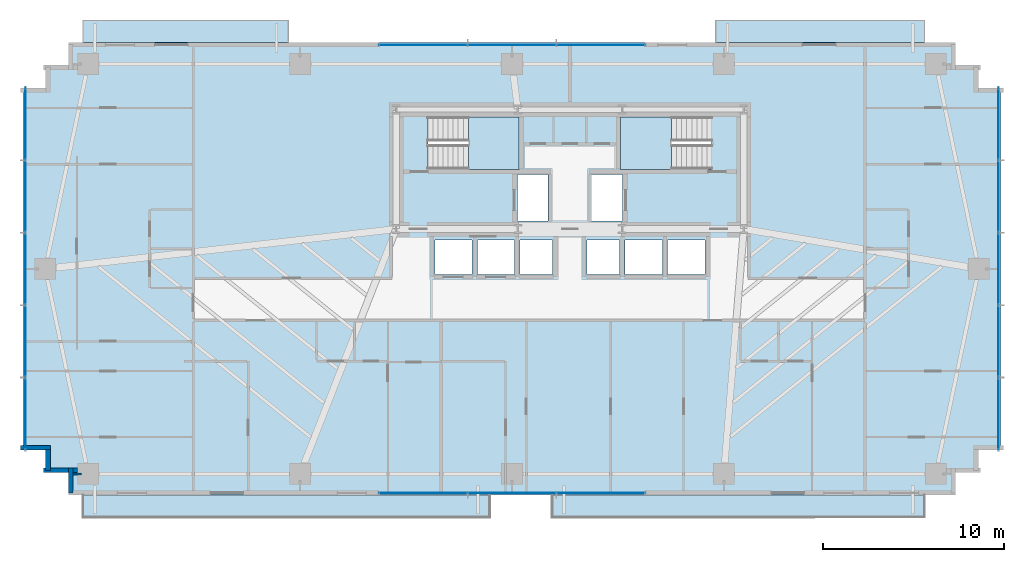
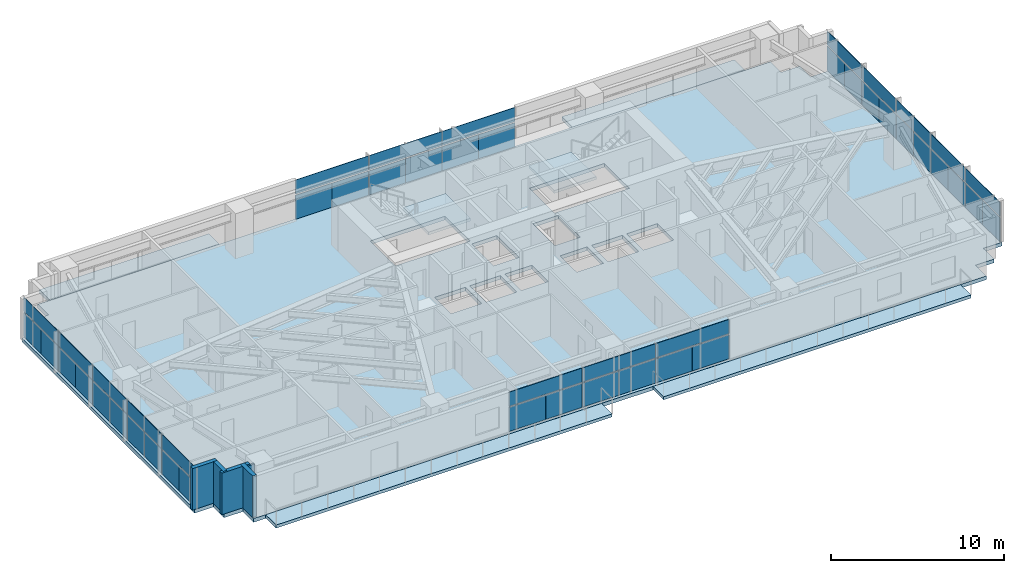
# One storey, part 18 of 25: 48 plates, 7 slabs, 5 walls, 6 elements without a shape of their own.
"""IFC4 building model written with IfcOpenShell, lengths in metres."""

from ifc_helpers import new_model, si_unit, direction, frame, frame_2d, origin, origin_2d, place, context, subcontext, project, spatial, polyline, rectangle, outline, extrude, source, transform, mapped, material, layer, layer_set, type_object, type_shapes, element, aggregate, save


model = new_model("IFC4")

# Units and contexts
model_context = context("Model", 3, precision=1e-05, world=origin(), true_north=direction((0.0, 1.0)))
body_context = subcontext(model_context, "Body", "Model", "MODEL_VIEW")
ifc_project = project(units=[si_unit("LENGTHUNIT", "METRE"), si_unit("AREAUNIT", "SQUARE_METRE"), si_unit("VOLUMEUNIT", "CUBIC_METRE"), si_unit("PLANEANGLEUNIT", "RADIAN"), si_unit("MASSUNIT", "GRAM", prefix="KILO")], contexts=[model_context])

# Site, building, storey
site_placement = place(None, origin())
site = spatial("IfcSite", under=ifc_project, at=site_placement, CompositionType="ELEMENT")
building_placement = place(site_placement, origin())
building = spatial("IfcBuilding", under=site, at=building_placement, Name="Astriad Promenade Condominiums", CompositionType="ELEMENT")
storey_placement = place(building_placement, frame((0.0, 0.0, 29.39990234375)))
storey = spatial("IfcBuildingStorey", under=building, at=storey_placement, Name="L07", CompositionType="ELEMENT", Elevation=29.39990234375)

# Slab
ifc_material_1 = material(Name="Concrete C50/60", Category="concrete")
ifc_layer_1 = layer(ifc_material_1, 0.260009765625)
ifc_layer_set_1 = layer_set([ifc_layer_1], Name="Concrete C50/60")
slab_type_1 = type_object("IfcSlabType", Name="CONCRETE TOWER FLOOR SLAB 260", PredefinedType="FLOOR", material=ifc_layer_set_1)
slab_1_placement = place(storey_placement, frame((0.0, 0.0, -0.260009765625)))
element("IfcSlab", 1, at=slab_1_placement, inside=storey, type_object=slab_type_1, Name="Structural Floor Slab (L07)", PredefinedType="FLOOR", context=body_context, shape_type="SweptSolid", body=[
    extrude(outline(polyline([(8.300048828125, 2.699951171875), (57.300048828125, 2.699951171875), (57.300048828125, 3.949951171875), (58.550048828125, 3.949951171875), (58.550048828125, 5.199951171875), (59.800048828125, 5.199951171875), (59.800048828125, 25.199951171875), (58.550048828125, 25.199951171875), (58.550048828125, 26.449951171875), (57.300048828125, 26.449951171875), (57.300048828125, 27.699951171875), (8.300048828125, 27.699951171875), (8.300048828125, 26.449951171875), (7.050048828125, 26.449951171875), (7.050048828125, 25.199951171875), (5.800048828125, 25.199951171875), (5.800048828125, 5.199951171875), (7.050048828125, 5.199951171875), (7.050048828125, 3.949951171875), (8.300048828125, 3.949951171875), (8.300048828125, 2.699951171875)]), holes=[polyline([(28.175048828125, 20.699951171875), (33.175048828125, 20.699951171875), (33.175048828125, 23.60009765625), (28.175048828125, 23.60009765625), (28.175048828125, 20.699951171875)]), polyline([(38.824951171875, 20.699951171875), (43.824951171875, 20.699951171875), (43.824951171875, 23.60009765625), (38.824951171875, 23.60009765625), (38.824951171875, 20.699951171875)]), polyline([(33.10009765625, 17.85009765625), (34.800048828125, 17.85009765625), (34.800048828125, 20.39990234375), (33.10009765625, 20.39990234375), (33.10009765625, 17.85009765625)]), polyline([(37.199951171875, 17.85009765625), (38.89990234375, 17.85009765625), (38.89990234375, 20.39990234375), (37.199951171875, 20.39990234375), (37.199951171875, 17.85009765625)]), polyline([(28.550048828125, 14.89990234375), (30.60009765625, 14.89990234375), (30.60009765625, 16.800048828125), (28.550048828125, 16.800048828125), (28.550048828125, 14.89990234375)]), polyline([(30.89990234375, 14.89990234375), (32.949951171875, 14.89990234375), (32.949951171875, 16.800048828125), (30.89990234375, 16.800048828125), (30.89990234375, 14.89990234375)]), polyline([(33.25, 14.89990234375), (35.050048828125, 14.89990234375), (35.050048828125, 16.800048828125), (33.25, 16.800048828125), (33.25, 14.89990234375)]), polyline([(36.949951171875, 14.89990234375), (38.75, 14.89990234375), (38.75, 16.800048828125), (36.949951171875, 16.800048828125), (36.949951171875, 14.89990234375)]), polyline([(39.050048828125, 14.89990234375), (41.10009765625, 14.89990234375), (41.10009765625, 16.800048828125), (39.050048828125, 16.800048828125), (39.050048828125, 14.89990234375)]), polyline([(41.39990234375, 14.89990234375), (43.449951171875, 14.89990234375), (43.449951171875, 16.800048828125), (41.39990234375, 16.800048828125), (41.39990234375, 14.89990234375)])]), origin(), (0.0, 0.0, 1.0), 0.260009765625),
])

# Stair, slab
stair_type = type_object("IfcStairType", Name="STR-CORE-1350", PredefinedType="HALF_TURN_STAIR", material=ifc_material_1)
stair_1_placement = place(storey_placement, origin())
stair_1 = element("IfcStair", 2, at=stair_1_placement, inside=storey, type_object=stair_type, Name="L07 Enclosed Core Exit Stair ST-1", PredefinedType="HALF_TURN_STAIR")
ifc_layer_2 = layer(ifc_material_1, 0.219970703125)
ifc_layer_set_2 = layer_set([ifc_layer_2], Name="Concrete C50/60")
slab_type_2 = type_object("IfcSlabType", Name="SLB-LANDING-220", PredefinedType="LANDING", material=ifc_layer_set_2)
slab_2_placement = place(storey_placement, frame((0.0, 0.0, 1.400146484375)))
slab_2 = element("IfcSlab", 3, at=slab_2_placement, type_object=slab_type_2, Name="ST-1 landing 1", PredefinedType="LANDING", context=body_context, shape_type="SweptSolid", body=[
    extrude(outline(polyline([(30.389892578125, 20.699951171875), (33.199951171875, 20.699951171875), (33.199951171875, 23.60009765625), (30.389892578125, 23.60009765625), (30.389892578125, 20.699951171875)])), origin(), (0.0, 0.0, 1.0), 0.199951171875),
])
aggregate(stair_1, [slab_2])

stair_2_placement = place(storey_placement, origin())
stair_2 = element("IfcStair", 4, at=stair_2_placement, inside=storey, type_object=stair_type, Name="L07 Enclosed Core Exit Stair ST-2", PredefinedType="HALF_TURN_STAIR")
slab_3_placement = place(storey_placement, frame((0.0, 0.0, 1.400146484375)))
slab_3 = element("IfcSlab", 5, at=slab_3_placement, type_object=slab_type_2, Name="ST-2 landing 1", PredefinedType="LANDING", context=body_context, shape_type="SweptSolid", body=[
    extrude(outline(polyline([(41.610107421875, 23.60009765625), (38.800048828125, 23.60009765625), (38.800048828125, 20.699951171875), (41.610107421875, 20.699951171875), (41.610107421875, 23.60009765625)])), origin(), (0.0, 0.0, 1.0), 0.199951171875),
])
aggregate(stair_2, [slab_3])

# Slabs
ifc_material_2 = material(Name="Precast concrete C50/60", Category="concrete")
ifc_layer_3 = layer(ifc_material_2, 0.219970703125)
ifc_layer_set_3 = layer_set([ifc_layer_3], Name="Precast concrete C50/60")
slab_type_3 = type_object("IfcSlabType", Name="WHITE PRECAST CONCRETE WAVE BALCONY SLAB 220", PredefinedType="FLOOR", material=ifc_layer_set_3)
slab_4_placement = place(storey_placement, frame((0.0, 0.0, -0.219970703125)))
element("IfcSlab", 6, at=slab_4_placement, inside=storey, type_object=slab_type_3, Name="White Precast Wave Balcony Slab BAL-L07-SW", PredefinedType="FLOOR", context=body_context, shape_type="SweptSolid", body=[
    extrude(outline(polyline([(31.568115234375, 1.47998046875), (9.10595703125, 1.47998046875), (9.10595703125, 2.697998046875), (31.568115234375, 2.697998046875), (31.568115234375, 1.47998046875)])), origin(), (0.0, 0.0, 1.0), 0.219970703125),
])
slab_5_placement = place(storey_placement, frame((0.0, 0.0, -0.219970703125)))
element("IfcSlab", 7, at=slab_5_placement, inside=storey, type_object=slab_type_3, Name="White Precast Wave Balcony Slab BAL-L07-SE", PredefinedType="FLOOR", context=body_context, shape_type="SweptSolid", body=[
    extrude(outline(polyline([(55.577880859375, 1.47998046875), (35.027099609375, 1.47998046875), (35.027099609375, 2.697998046875), (55.577880859375, 2.697998046875), (55.577880859375, 1.47998046875)])), origin(), (0.0, 0.0, 1.0), 0.219970703125),
])
slab_6_placement = place(storey_placement, frame((0.0, 0.0, -0.219970703125)))
element("IfcSlab", 8, at=slab_6_placement, inside=storey, type_object=slab_type_3, Name="White Precast Wave Balcony Slab BAL-L07-NW", PredefinedType="FLOOR", context=body_context, shape_type="SweptSolid", body=[
    extrude(outline(polyline([(9.10595703125, 28.919921875), (20.43994140625, 28.919921875), (20.43994140625, 27.701904296875), (9.10595703125, 27.701904296875), (9.10595703125, 28.919921875)])), origin(), (0.0, 0.0, 1.0), 0.219970703125),
])
slab_7_placement = place(storey_placement, frame((0.0, 0.0, -0.219970703125)))
element("IfcSlab", 9, at=slab_7_placement, inside=storey, type_object=slab_type_3, Name="White Precast Wave Balcony Slab BAL-L07-NE", PredefinedType="FLOOR", context=body_context, shape_type="SweptSolid", body=[
    extrude(outline(polyline([(44.050048828125, 28.919921875), (55.577880859375, 28.919921875), (55.577880859375, 27.701904296875), (44.050048828125, 27.701904296875), (44.050048828125, 28.919921875)])), origin(), (0.0, 0.0, 1.0), 0.219970703125),
])

# Curtain wall, plates
ifc_material_3 = material(Name="Anodised aluminium Black Dark Glass Unitised", Category="aluminium")
curtain_wall_type = type_object("IfcCurtainWallType", Name="CW-B1-DARK", PredefinedType="USERDEFINED", material=ifc_material_3)
curtain_wall_1_placement = place(storey_placement, origin())
curtain_wall_1 = element("IfcCurtainWall", 10, at=curtain_wall_1_placement, inside=storey, type_object=curtain_wall_type, Name="CW-L07-W", ObjectType="UNITISED_CURTAIN_WALL", PredefinedType="USERDEFINED")
ifc_material_4 = material(Name="Dark Tinted Low-E Laminated Glass", Category="glass")
ifc_layer_4 = layer(ifc_material_4, 0.035888671875)
ifc_layer_set_4 = layer_set([ifc_layer_4], Name="Dark Tinted Low-E Laminated Glass")
plate_type = type_object("IfcPlateType", Name="PNL-DARK-GLASS-36", PredefinedType="CURTAIN_PANEL", material=ifc_layer_set_4)
shared_shape_1 = source(origin(), body_context, "Body", "SweptSolid", [
    extrude(rectangle(XDim=1.988037109375, YDim=0.035888671875, at=origin_2d()), origin(), (0.0, 0.0, 1.0), 1.702880859375),
])
plate_1_placement = place(storey_placement, frame((5.929931640625, 6.199951171875, 0.080078125), z_axis=(0.0, 0.0, 1.0), x_axis=(0.0, 1.0, 0.0)))
plate_1 = element("IfcPlate", 11, at=plate_1_placement, type_object=plate_type, Name="CW-L07-W-PNL-00-VL", PredefinedType="CURTAIN_PANEL", context=body_context, shape_type="MappedRepresentation", body=[
    mapped(shared_shape_1, transform((0.0, 0.0, 0.0), scale=1.0)),
])
plate_2_placement = place(storey_placement, frame((5.929931640625, 8.199951171875, 0.080078125), z_axis=(0.0, 0.0, 1.0), x_axis=(0.0, 1.0, 0.0)))
plate_2 = element("IfcPlate", 12, at=plate_2_placement, type_object=plate_type, Name="CW-L07-W-PNL-00-VR", PredefinedType="CURTAIN_PANEL", context=body_context, shape_type="MappedRepresentation", body=[
    mapped(shared_shape_1, transform((0.0, 0.0, 0.0), scale=1.0)),
])
plate_3_placement = place(storey_placement, frame((5.929931640625, 10.199951171875, 0.080078125), z_axis=(0.0, 0.0, 1.0), x_axis=(0.0, 1.0, 0.0)))
plate_3 = element("IfcPlate", 13, at=plate_3_placement, type_object=plate_type, Name="CW-L07-W-PNL-01-VL", PredefinedType="CURTAIN_PANEL", context=body_context, shape_type="MappedRepresentation", body=[
    mapped(shared_shape_1, transform((0.0, 0.0, 0.0), scale=1.0)),
])
plate_4_placement = place(storey_placement, frame((5.929931640625, 12.199951171875, 0.080078125), z_axis=(0.0, 0.0, 1.0), x_axis=(0.0, 1.0, 0.0)))
plate_4 = element("IfcPlate", 14, at=plate_4_placement, type_object=plate_type, Name="CW-L07-W-PNL-01-VR", PredefinedType="CURTAIN_PANEL", context=body_context, shape_type="MappedRepresentation", body=[
    mapped(shared_shape_1, transform((0.0, 0.0, 0.0), scale=1.0)),
])
plate_5_placement = place(storey_placement, frame((5.929931640625, 14.199951171875, 0.080078125), z_axis=(0.0, 0.0, 1.0), x_axis=(0.0, 1.0, 0.0)))
plate_5 = element("IfcPlate", 15, at=plate_5_placement, type_object=plate_type, Name="CW-L07-W-PNL-02-VL", PredefinedType="CURTAIN_PANEL", context=body_context, shape_type="MappedRepresentation", body=[
    mapped(shared_shape_1, transform((0.0, 0.0, 0.0), scale=1.0)),
])
plate_6_placement = place(storey_placement, frame((5.929931640625, 16.199951171875, 0.080078125), z_axis=(0.0, 0.0, 1.0), x_axis=(0.0, 1.0, 0.0)))
plate_6 = element("IfcPlate", 16, at=plate_6_placement, type_object=plate_type, Name="CW-L07-W-PNL-02-VR", PredefinedType="CURTAIN_PANEL", context=body_context, shape_type="MappedRepresentation", body=[
    mapped(shared_shape_1, transform((0.0, 0.0, 0.0), scale=1.0)),
])
plate_7_placement = place(storey_placement, frame((5.929931640625, 18.199951171875, 0.080078125), z_axis=(0.0, 0.0, 1.0), x_axis=(0.0, 1.0, 0.0)))
plate_7 = element("IfcPlate", 17, at=plate_7_placement, type_object=plate_type, Name="CW-L07-W-PNL-03-VL", PredefinedType="CURTAIN_PANEL", context=body_context, shape_type="MappedRepresentation", body=[
    mapped(shared_shape_1, transform((0.0, 0.0, 0.0), scale=1.0)),
])
plate_8_placement = place(storey_placement, frame((5.929931640625, 20.199951171875, 0.080078125), z_axis=(0.0, 0.0, 1.0), x_axis=(0.0, 1.0, 0.0)))
plate_8 = element("IfcPlate", 18, at=plate_8_placement, type_object=plate_type, Name="CW-L07-W-PNL-03-VR", PredefinedType="CURTAIN_PANEL", context=body_context, shape_type="MappedRepresentation", body=[
    mapped(shared_shape_1, transform((0.0, 0.0, 0.0), scale=1.0)),
])
plate_9_placement = place(storey_placement, frame((5.929931640625, 22.199951171875, 0.080078125), z_axis=(0.0, 0.0, 1.0), x_axis=(0.0, 1.0, 0.0)))
plate_9 = element("IfcPlate", 19, at=plate_9_placement, type_object=plate_type, Name="CW-L07-W-PNL-04-VL", PredefinedType="CURTAIN_PANEL", context=body_context, shape_type="MappedRepresentation", body=[
    mapped(shared_shape_1, transform((0.0, 0.0, 0.0), scale=1.0)),
])
plate_10_placement = place(storey_placement, frame((5.929931640625, 24.199951171875, 0.080078125), z_axis=(0.0, 0.0, 1.0), x_axis=(0.0, 1.0, 0.0)))
plate_10 = element("IfcPlate", 20, at=plate_10_placement, type_object=plate_type, Name="CW-L07-W-PNL-04-VR", PredefinedType="CURTAIN_PANEL", context=body_context, shape_type="MappedRepresentation", body=[
    mapped(shared_shape_1, transform((0.0, 0.0, 0.0), scale=1.0)),
])

curtain_wall_2_placement = place(storey_placement, origin())
curtain_wall_2 = element("IfcCurtainWall", 21, at=curtain_wall_2_placement, inside=storey, type_object=curtain_wall_type, Name="CW-L07-E", ObjectType="UNITISED_CURTAIN_WALL", PredefinedType="USERDEFINED")
plate_11_placement = place(storey_placement, frame((59.669921875, 24.199951171875, 0.080078125), z_axis=(0.0, 0.0, 1.0), x_axis=(0.0, -1.0, 0.0)))
plate_11 = element("IfcPlate", 22, at=plate_11_placement, type_object=plate_type, Name="CW-L07-E-PNL-00-VL", PredefinedType="CURTAIN_PANEL", context=body_context, shape_type="MappedRepresentation", body=[
    mapped(shared_shape_1, transform((0.0, 0.0, 0.0), scale=1.0)),
])
plate_12_placement = place(storey_placement, frame((59.669921875, 22.199951171875, 0.080078125), z_axis=(0.0, 0.0, 1.0), x_axis=(0.0, -1.0, 0.0)))
plate_12 = element("IfcPlate", 23, at=plate_12_placement, type_object=plate_type, Name="CW-L07-E-PNL-00-VR", PredefinedType="CURTAIN_PANEL", context=body_context, shape_type="MappedRepresentation", body=[
    mapped(shared_shape_1, transform((0.0, 0.0, 0.0), scale=1.0)),
])
plate_13_placement = place(storey_placement, frame((59.669921875, 20.199951171875, 0.080078125), z_axis=(0.0, 0.0, 1.0), x_axis=(0.0, -1.0, 0.0)))
plate_13 = element("IfcPlate", 24, at=plate_13_placement, type_object=plate_type, Name="CW-L07-E-PNL-01-VL", PredefinedType="CURTAIN_PANEL", context=body_context, shape_type="MappedRepresentation", body=[
    mapped(shared_shape_1, transform((0.0, 0.0, 0.0), scale=1.0)),
])
plate_14_placement = place(storey_placement, frame((59.669921875, 18.199951171875, 0.080078125), z_axis=(0.0, 0.0, 1.0), x_axis=(0.0, -1.0, 0.0)))
plate_14 = element("IfcPlate", 25, at=plate_14_placement, type_object=plate_type, Name="CW-L07-E-PNL-01-VR", PredefinedType="CURTAIN_PANEL", context=body_context, shape_type="MappedRepresentation", body=[
    mapped(shared_shape_1, transform((0.0, 0.0, 0.0), scale=1.0)),
])
plate_15_placement = place(storey_placement, frame((59.669921875, 16.199951171875, 0.080078125), z_axis=(0.0, 0.0, 1.0), x_axis=(0.0, -1.0, 0.0)))
plate_15 = element("IfcPlate", 26, at=plate_15_placement, type_object=plate_type, Name="CW-L07-E-PNL-02-VL", PredefinedType="CURTAIN_PANEL", context=body_context, shape_type="MappedRepresentation", body=[
    mapped(shared_shape_1, transform((0.0, 0.0, 0.0), scale=1.0)),
])
plate_16_placement = place(storey_placement, frame((59.669921875, 14.199951171875, 0.080078125), z_axis=(0.0, 0.0, 1.0), x_axis=(0.0, -1.0, 0.0)))
plate_16 = element("IfcPlate", 27, at=plate_16_placement, type_object=plate_type, Name="CW-L07-E-PNL-02-VR", PredefinedType="CURTAIN_PANEL", context=body_context, shape_type="MappedRepresentation", body=[
    mapped(shared_shape_1, transform((0.0, 0.0, 0.0), scale=1.0)),
])
plate_17_placement = place(storey_placement, frame((59.669921875, 12.199951171875, 0.080078125), z_axis=(0.0, 0.0, 1.0), x_axis=(0.0, -1.0, 0.0)))
plate_17 = element("IfcPlate", 28, at=plate_17_placement, type_object=plate_type, Name="CW-L07-E-PNL-03-VL", PredefinedType="CURTAIN_PANEL", context=body_context, shape_type="MappedRepresentation", body=[
    mapped(shared_shape_1, transform((0.0, 0.0, 0.0), scale=1.0)),
])
plate_18_placement = place(storey_placement, frame((59.669921875, 10.199951171875, 0.080078125), z_axis=(0.0, 0.0, 1.0), x_axis=(0.0, -1.0, 0.0)))
plate_18 = element("IfcPlate", 29, at=plate_18_placement, type_object=plate_type, Name="CW-L07-E-PNL-03-VR", PredefinedType="CURTAIN_PANEL", context=body_context, shape_type="MappedRepresentation", body=[
    mapped(shared_shape_1, transform((0.0, 0.0, 0.0), scale=1.0)),
])
plate_19_placement = place(storey_placement, frame((59.669921875, 8.199951171875, 0.080078125), z_axis=(0.0, 0.0, 1.0), x_axis=(0.0, -1.0, 0.0)))
plate_19 = element("IfcPlate", 30, at=plate_19_placement, type_object=plate_type, Name="CW-L07-E-PNL-04-VL", PredefinedType="CURTAIN_PANEL", context=body_context, shape_type="MappedRepresentation", body=[
    mapped(shared_shape_1, transform((0.0, 0.0, 0.0), scale=1.0)),
])
plate_20_placement = place(storey_placement, frame((59.669921875, 6.199951171875, 0.080078125), z_axis=(0.0, 0.0, 1.0), x_axis=(0.0, -1.0, 0.0)))
plate_20 = element("IfcPlate", 31, at=plate_20_placement, type_object=plate_type, Name="CW-L07-E-PNL-04-VR", PredefinedType="CURTAIN_PANEL", context=body_context, shape_type="MappedRepresentation", body=[
    mapped(shared_shape_1, transform((0.0, 0.0, 0.0), scale=1.0)),
])

# Plate
shared_shape_2 = source(origin(), body_context, "Body", "SweptSolid", [
    extrude(rectangle(XDim=3.988037109375, YDim=0.035888671875, at=origin_2d()), origin(), (0.0, 0.0, 1.0), 0.997314453125),
])
plate_21_placement = place(storey_placement, frame((5.929931640625, 7.199951171875, 1.86279296875), z_axis=(0.0, 0.0, 1.0), x_axis=(0.0, 1.0, 0.0)))
plate_21 = element("IfcPlate", 32, at=plate_21_placement, type_object=plate_type, Name="CW-L07-W-PNL-00-S", PredefinedType="CURTAIN_PANEL", context=body_context, shape_type="MappedRepresentation", body=[
    mapped(shared_shape_2, transform((0.0, 0.0, 0.0), scale=1.0)),
])

plate_22_placement = place(storey_placement, frame((5.929931640625, 11.199951171875, 1.86279296875), z_axis=(0.0, 0.0, 1.0), x_axis=(0.0, 1.0, 0.0)))
plate_22 = element("IfcPlate", 33, at=plate_22_placement, type_object=plate_type, Name="CW-L07-W-PNL-01-S", PredefinedType="CURTAIN_PANEL", context=body_context, shape_type="MappedRepresentation", body=[
    mapped(shared_shape_2, transform((0.0, 0.0, 0.0), scale=1.0)),
])

plate_23_placement = place(storey_placement, frame((5.929931640625, 15.199951171875, 1.86279296875), z_axis=(0.0, 0.0, 1.0), x_axis=(0.0, 1.0, 0.0)))
plate_23 = element("IfcPlate", 34, at=plate_23_placement, type_object=plate_type, Name="CW-L07-W-PNL-02-S", PredefinedType="CURTAIN_PANEL", context=body_context, shape_type="MappedRepresentation", body=[
    mapped(shared_shape_2, transform((0.0, 0.0, 0.0), scale=1.0)),
])

plate_24_placement = place(storey_placement, frame((5.929931640625, 19.199951171875, 1.86279296875), z_axis=(0.0, 0.0, 1.0), x_axis=(0.0, 1.0, 0.0)))
plate_24 = element("IfcPlate", 35, at=plate_24_placement, type_object=plate_type, Name="CW-L07-W-PNL-03-S", PredefinedType="CURTAIN_PANEL", context=body_context, shape_type="MappedRepresentation", body=[
    mapped(shared_shape_2, transform((0.0, 0.0, 0.0), scale=1.0)),
])

plate_25_placement = place(storey_placement, frame((5.929931640625, 23.199951171875, 1.86279296875), z_axis=(0.0, 0.0, 1.0), x_axis=(0.0, 1.0, 0.0)))
plate_25 = element("IfcPlate", 36, at=plate_25_placement, type_object=plate_type, Name="CW-L07-W-PNL-04-S", PredefinedType="CURTAIN_PANEL", context=body_context, shape_type="MappedRepresentation", body=[
    mapped(shared_shape_2, transform((0.0, 0.0, 0.0), scale=1.0)),
])

aggregate(curtain_wall_1, [plate_1, plate_2, plate_21, plate_3, plate_4, plate_22, plate_5, plate_6, plate_23, plate_7, plate_8, plate_24, plate_9, plate_10, plate_25])

plate_26_placement = place(storey_placement, frame((59.669921875, 23.199951171875, 1.86279296875), z_axis=(0.0, 0.0, 1.0), x_axis=(0.0, -1.0, 0.0)))
plate_26 = element("IfcPlate", 37, at=plate_26_placement, type_object=plate_type, Name="CW-L07-E-PNL-00-S", PredefinedType="CURTAIN_PANEL", context=body_context, shape_type="MappedRepresentation", body=[
    mapped(shared_shape_2, transform((0.0, 0.0, 0.0), scale=1.0)),
])

plate_27_placement = place(storey_placement, frame((59.669921875, 19.199951171875, 1.86279296875), z_axis=(0.0, 0.0, 1.0), x_axis=(0.0, -1.0, 0.0)))
plate_27 = element("IfcPlate", 38, at=plate_27_placement, type_object=plate_type, Name="CW-L07-E-PNL-01-S", PredefinedType="CURTAIN_PANEL", context=body_context, shape_type="MappedRepresentation", body=[
    mapped(shared_shape_2, transform((0.0, 0.0, 0.0), scale=1.0)),
])

plate_28_placement = place(storey_placement, frame((59.669921875, 15.199951171875, 1.86279296875), z_axis=(0.0, 0.0, 1.0), x_axis=(0.0, -1.0, 0.0)))
plate_28 = element("IfcPlate", 39, at=plate_28_placement, type_object=plate_type, Name="CW-L07-E-PNL-02-S", PredefinedType="CURTAIN_PANEL", context=body_context, shape_type="MappedRepresentation", body=[
    mapped(shared_shape_2, transform((0.0, 0.0, 0.0), scale=1.0)),
])

plate_29_placement = place(storey_placement, frame((59.669921875, 11.199951171875, 1.86279296875), z_axis=(0.0, 0.0, 1.0), x_axis=(0.0, -1.0, 0.0)))
plate_29 = element("IfcPlate", 40, at=plate_29_placement, type_object=plate_type, Name="CW-L07-E-PNL-03-S", PredefinedType="CURTAIN_PANEL", context=body_context, shape_type="MappedRepresentation", body=[
    mapped(shared_shape_2, transform((0.0, 0.0, 0.0), scale=1.0)),
])

plate_30_placement = place(storey_placement, frame((59.669921875, 7.199951171875, 1.86279296875), z_axis=(0.0, 0.0, 1.0), x_axis=(0.0, -1.0, 0.0)))
plate_30 = element("IfcPlate", 41, at=plate_30_placement, type_object=plate_type, Name="CW-L07-E-PNL-04-S", PredefinedType="CURTAIN_PANEL", context=body_context, shape_type="MappedRepresentation", body=[
    mapped(shared_shape_2, transform((0.0, 0.0, 0.0), scale=1.0)),
])

aggregate(curtain_wall_2, [plate_11, plate_12, plate_26, plate_13, plate_14, plate_27, plate_15, plate_16, plate_28, plate_17, plate_18, plate_29, plate_19, plate_20, plate_30])

# Curtain wall, plates
curtain_wall_3_placement = place(storey_placement, origin())
curtain_wall_3 = element("IfcCurtainWall", 42, at=curtain_wall_3_placement, inside=storey, type_object=curtain_wall_type, Name="CW-L07-N", ObjectType="UNITISED_CURTAIN_WALL", PredefinedType="USERDEFINED")
shared_shape_3 = source(origin(), body_context, "Body", "SweptSolid", [
    extrude(rectangle(XDim=2.43798828125, YDim=0.035888671875, at=origin_2d()), origin(), (0.0, 0.0, 1.0), 1.702880859375),
])
plate_31_placement = place(storey_placement, frame((26.675048828125, 27.570068359375, 0.080078125), z_axis=(0.0, 0.0, 1.0), x_axis=(1.0, 0.0, 0.0)))
plate_31 = element("IfcPlate", 43, at=plate_31_placement, type_object=plate_type, Name="CW-L07-N-PNL-00-VL", PredefinedType="CURTAIN_PANEL", context=body_context, shape_type="MappedRepresentation", body=[
    mapped(shared_shape_3, transform((0.0, 0.0, 0.0), scale=1.0)),
])
plate_32_placement = place(storey_placement, frame((29.125, 27.570068359375, 0.080078125), z_axis=(0.0, 0.0, 1.0), x_axis=(1.0, 0.0, 0.0)))
plate_32 = element("IfcPlate", 44, at=plate_32_placement, type_object=plate_type, Name="CW-L07-N-PNL-00-VR", PredefinedType="CURTAIN_PANEL", context=body_context, shape_type="MappedRepresentation", body=[
    mapped(shared_shape_3, transform((0.0, 0.0, 0.0), scale=1.0)),
])
plate_33_placement = place(storey_placement, frame((31.574951171875, 27.570068359375, 0.080078125), z_axis=(0.0, 0.0, 1.0), x_axis=(1.0, 0.0, 0.0)))
plate_33 = element("IfcPlate", 45, at=plate_33_placement, type_object=plate_type, Name="CW-L07-N-PNL-01-VL", PredefinedType="CURTAIN_PANEL", context=body_context, shape_type="MappedRepresentation", body=[
    mapped(shared_shape_3, transform((0.0, 0.0, 0.0), scale=1.0)),
])
plate_34_placement = place(storey_placement, frame((34.02490234375, 27.570068359375, 0.080078125), z_axis=(0.0, 0.0, 1.0), x_axis=(1.0, 0.0, 0.0)))
plate_34 = element("IfcPlate", 46, at=plate_34_placement, type_object=plate_type, Name="CW-L07-N-PNL-01-VR", PredefinedType="CURTAIN_PANEL", context=body_context, shape_type="MappedRepresentation", body=[
    mapped(shared_shape_3, transform((0.0, 0.0, 0.0), scale=1.0)),
])
plate_35_placement = place(storey_placement, frame((36.47509765625, 27.570068359375, 0.080078125), z_axis=(0.0, 0.0, 1.0), x_axis=(1.0, 0.0, 0.0)))
plate_35 = element("IfcPlate", 47, at=plate_35_placement, type_object=plate_type, Name="CW-L07-N-PNL-02-VL", PredefinedType="CURTAIN_PANEL", context=body_context, shape_type="MappedRepresentation", body=[
    mapped(shared_shape_3, transform((0.0, 0.0, 0.0), scale=1.0)),
])
plate_36_placement = place(storey_placement, frame((38.925048828125, 27.570068359375, 0.080078125), z_axis=(0.0, 0.0, 1.0), x_axis=(1.0, 0.0, 0.0)))
plate_36 = element("IfcPlate", 48, at=plate_36_placement, type_object=plate_type, Name="CW-L07-N-PNL-02-VR", PredefinedType="CURTAIN_PANEL", context=body_context, shape_type="MappedRepresentation", body=[
    mapped(shared_shape_3, transform((0.0, 0.0, 0.0), scale=1.0)),
])

curtain_wall_4_placement = place(storey_placement, origin())
curtain_wall_4 = element("IfcCurtainWall", 49, at=curtain_wall_4_placement, inside=storey, type_object=curtain_wall_type, Name="CW-L07-S", ObjectType="UNITISED_CURTAIN_WALL", PredefinedType="USERDEFINED")
plate_37_placement = place(storey_placement, frame((38.925048828125, 2.830078125, 0.080078125), z_axis=(0.0, 0.0, 1.0), x_axis=(-1.0, 0.0, 0.0)))
plate_37 = element("IfcPlate", 50, at=plate_37_placement, type_object=plate_type, Name="CW-L07-S-PNL-00-VL", PredefinedType="CURTAIN_PANEL", context=body_context, shape_type="MappedRepresentation", body=[
    mapped(shared_shape_3, transform((0.0, 0.0, 0.0), scale=1.0)),
])
plate_38_placement = place(storey_placement, frame((36.47509765625, 2.830078125, 0.080078125), z_axis=(0.0, 0.0, 1.0), x_axis=(-1.0, 0.0, 0.0)))
plate_38 = element("IfcPlate", 51, at=plate_38_placement, type_object=plate_type, Name="CW-L07-S-PNL-00-VR", PredefinedType="CURTAIN_PANEL", context=body_context, shape_type="MappedRepresentation", body=[
    mapped(shared_shape_3, transform((0.0, 0.0, 0.0), scale=1.0)),
])
plate_39_placement = place(storey_placement, frame((34.02490234375, 2.830078125, 0.080078125), z_axis=(0.0, 0.0, 1.0), x_axis=(-1.0, 0.0, 0.0)))
plate_39 = element("IfcPlate", 52, at=plate_39_placement, type_object=plate_type, Name="CW-L07-S-PNL-01-VL", PredefinedType="CURTAIN_PANEL", context=body_context, shape_type="MappedRepresentation", body=[
    mapped(shared_shape_3, transform((0.0, 0.0, 0.0), scale=1.0)),
])
plate_40_placement = place(storey_placement, frame((31.574951171875, 2.830078125, 0.080078125), z_axis=(0.0, 0.0, 1.0), x_axis=(-1.0, 0.0, 0.0)))
plate_40 = element("IfcPlate", 53, at=plate_40_placement, type_object=plate_type, Name="CW-L07-S-PNL-01-VR", PredefinedType="CURTAIN_PANEL", context=body_context, shape_type="MappedRepresentation", body=[
    mapped(shared_shape_3, transform((0.0, 0.0, 0.0), scale=1.0)),
])
plate_41_placement = place(storey_placement, frame((29.125, 2.830078125, 0.080078125), z_axis=(0.0, 0.0, 1.0), x_axis=(-1.0, 0.0, 0.0)))
plate_41 = element("IfcPlate", 54, at=plate_41_placement, type_object=plate_type, Name="CW-L07-S-PNL-02-VL", PredefinedType="CURTAIN_PANEL", context=body_context, shape_type="MappedRepresentation", body=[
    mapped(shared_shape_3, transform((0.0, 0.0, 0.0), scale=1.0)),
])
plate_42_placement = place(storey_placement, frame((26.675048828125, 2.830078125, 0.080078125), z_axis=(0.0, 0.0, 1.0), x_axis=(-1.0, 0.0, 0.0)))
plate_42 = element("IfcPlate", 55, at=plate_42_placement, type_object=plate_type, Name="CW-L07-S-PNL-02-VR", PredefinedType="CURTAIN_PANEL", context=body_context, shape_type="MappedRepresentation", body=[
    mapped(shared_shape_3, transform((0.0, 0.0, 0.0), scale=1.0)),
])

# Plate
shared_shape_4 = source(origin(), body_context, "Body", "SweptSolid", [
    extrude(rectangle(XDim=4.887939453125, YDim=0.035888671875, at=origin_2d()), origin(), (0.0, 0.0, 1.0), 0.997314453125),
])
type_shapes(plate_type, [shared_shape_1, shared_shape_2, shared_shape_3, shared_shape_4])
plate_43_placement = place(storey_placement, frame((27.89990234375, 27.570068359375, 1.86279296875), z_axis=(0.0, 0.0, 1.0), x_axis=(1.0, 0.0, 0.0)))
plate_43 = element("IfcPlate", 56, at=plate_43_placement, type_object=plate_type, Name="CW-L07-N-PNL-00-S", PredefinedType="CURTAIN_PANEL", context=body_context, shape_type="MappedRepresentation", body=[
    mapped(shared_shape_4, transform((0.0, 0.0, 0.0), scale=1.0)),
])

plate_44_placement = place(storey_placement, frame((32.800048828125, 27.570068359375, 1.86279296875), z_axis=(0.0, 0.0, 1.0), x_axis=(1.0, 0.0, 0.0)))
plate_44 = element("IfcPlate", 57, at=plate_44_placement, type_object=plate_type, Name="CW-L07-N-PNL-01-S", PredefinedType="CURTAIN_PANEL", context=body_context, shape_type="MappedRepresentation", body=[
    mapped(shared_shape_4, transform((0.0, 0.0, 0.0), scale=1.0)),
])

plate_45_placement = place(storey_placement, frame((37.699951171875, 27.570068359375, 1.86279296875), z_axis=(0.0, 0.0, 1.0), x_axis=(1.0, 0.0, 0.0)))
plate_45 = element("IfcPlate", 58, at=plate_45_placement, type_object=plate_type, Name="CW-L07-N-PNL-02-S", PredefinedType="CURTAIN_PANEL", context=body_context, shape_type="MappedRepresentation", body=[
    mapped(shared_shape_4, transform((0.0, 0.0, 0.0), scale=1.0)),
])

aggregate(curtain_wall_3, [plate_31, plate_32, plate_43, plate_33, plate_34, plate_44, plate_35, plate_36, plate_45])

plate_46_placement = place(storey_placement, frame((37.699951171875, 2.830078125, 1.86279296875), z_axis=(0.0, 0.0, 1.0), x_axis=(-1.0, 0.0, 0.0)))
plate_46 = element("IfcPlate", 59, at=plate_46_placement, type_object=plate_type, Name="CW-L07-S-PNL-00-S", PredefinedType="CURTAIN_PANEL", context=body_context, shape_type="MappedRepresentation", body=[
    mapped(shared_shape_4, transform((0.0, 0.0, 0.0), scale=1.0)),
])

plate_47_placement = place(storey_placement, frame((32.800048828125, 2.830078125, 1.86279296875), z_axis=(0.0, 0.0, 1.0), x_axis=(-1.0, 0.0, 0.0)))
plate_47 = element("IfcPlate", 60, at=plate_47_placement, type_object=plate_type, Name="CW-L07-S-PNL-01-S", PredefinedType="CURTAIN_PANEL", context=body_context, shape_type="MappedRepresentation", body=[
    mapped(shared_shape_4, transform((0.0, 0.0, 0.0), scale=1.0)),
])

plate_48_placement = place(storey_placement, frame((27.89990234375, 2.830078125, 1.86279296875), z_axis=(0.0, 0.0, 1.0), x_axis=(-1.0, 0.0, 0.0)))
plate_48 = element("IfcPlate", 61, at=plate_48_placement, type_object=plate_type, Name="CW-L07-S-PNL-02-S", PredefinedType="CURTAIN_PANEL", context=body_context, shape_type="MappedRepresentation", body=[
    mapped(shared_shape_4, transform((0.0, 0.0, 0.0), scale=1.0)),
])

aggregate(curtain_wall_4, [plate_37, plate_38, plate_46, plate_39, plate_40, plate_47, plate_41, plate_42, plate_48])

# Walls
ifc_layer_5 = layer(ifc_material_2, 0.260009765625)
ifc_layer_set_5 = layer_set([ifc_layer_5], Name="Precast concrete C50/60")
wall_type_1 = type_object("IfcWallType", Name="WALL-EXT-TWR-260", PredefinedType="STANDARD", material=ifc_layer_set_5)
wall_1_placement = place(storey_placement, frame((8.798095703125, 4.080078125, 0.0), z_axis=(0.0, 0.0, 1.0), x_axis=(-1.0, 0.0, 0.0)))
element("IfcWall", 62, at=wall_1_placement, inside=storey, type_object=wall_type_1, Name="W-SER-L07-00", PredefinedType="STANDARD", context=body_context, shape_type="SweptSolid", body=[
    extrude(rectangle(XDim=1.878173828125, YDim=0.260009765625, at=frame_2d((0.93896484375, 0.0))), origin(), (0.0, 0.0, 1.0), 2.940185546875),
])
wall_2_placement = place(storey_placement, frame((7.179931640625, 4.06494140625, 0.0), z_axis=(0.0, 0.0, 1.0), x_axis=(0.0, 1.0, 0.0)))
element("IfcWall", 63, at=wall_2_placement, inside=storey, type_object=wall_type_1, Name="W-SER-L07-01", PredefinedType="STANDARD", context=body_context, shape_type="SweptSolid", body=[
    extrude(rectangle(XDim=1.150146484375, YDim=0.260009765625, at=frame_2d((0.5751953125, 0.0))), origin(), (0.0, 0.0, 1.0), 2.940185546875),
])
wall_3_placement = place(storey_placement, frame((7.31005859375, 5.330078125, 0.0), z_axis=(0.0, 0.0, 1.0), x_axis=(-1.0, 0.0, 0.0)))
element("IfcWall", 64, at=wall_3_placement, inside=storey, type_object=wall_type_1, Name="W-SER-L07-02", PredefinedType="STANDARD", context=body_context, shape_type="SweptSolid", body=[
    extrude(rectangle(XDim=1.64013671875, YDim=0.260009765625, at=frame_2d((0.820068359375, 0.0))), origin(), (0.0, 0.0, 1.0), 2.940185546875),
])
wall_4_placement = place(storey_placement, frame((8.429931640625, 2.81494140625, 0.0), z_axis=(0.0, 0.0, 1.0), x_axis=(0.0, 1.0, 0.0)))
element("IfcWall", 65, at=wall_4_placement, inside=storey, type_object=wall_type_1, Name="W-SER-L07-19", PredefinedType="STANDARD", context=body_context, shape_type="SweptSolid", body=[
    extrude(rectangle(XDim=1.39501953125, YDim=0.260009765625, at=frame_2d((0.697509765625, 0.0))), origin(), (0.0, 0.0, 1.0), 2.940185546875),
])
ifc_material_5 = material(Name="Acoustic Metal-Stud Gypsum Partition")
ifc_layer_6 = layer(ifc_material_5, 0.1201171875)
ifc_layer_set_6 = layer_set([ifc_layer_6], Name="Acoustic Metal-Stud Gypsum Partition")
wall_type_2 = type_object("IfcWallType", Name="WALL-PART-120", PredefinedType="PARTITIONING", material=ifc_layer_set_6)
wall_5_placement = place(storey_placement, frame((9.02001953125, 3.8798828125, 0.0), z_axis=(0.0, 0.0, 1.0), x_axis=(-1.0, 0.0, 0.0)))
element("IfcWall", 66, at=wall_5_placement, inside=storey, type_object=wall_type_2, Name="PT-PIL-L07-PC01-8", PredefinedType="PARTITIONING", context=body_context, shape_type="SweptSolid", body=[
    extrude(rectangle(XDim=0.4580078125, YDim=0.1201171875, at=frame_2d((0.22900390625, 0.0))), origin(), (0.0, 0.0, 1.0), 2.940185546875),
])

save(model, "model.ifc")
